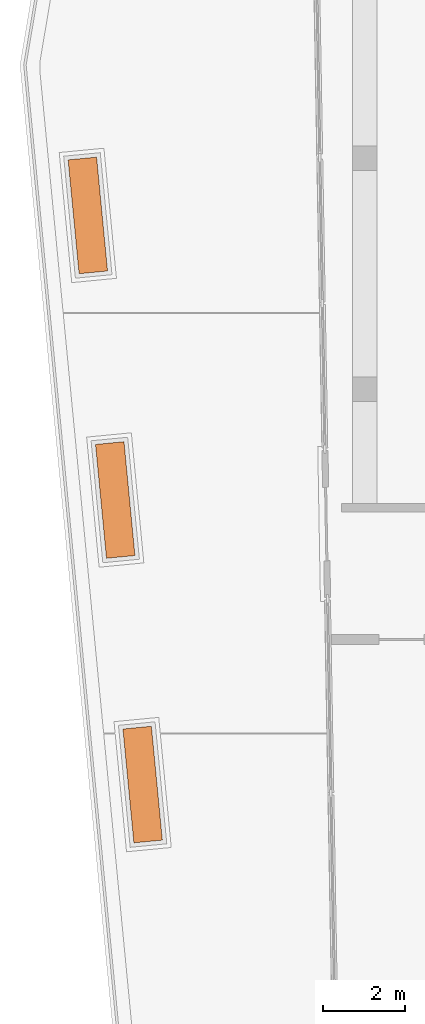
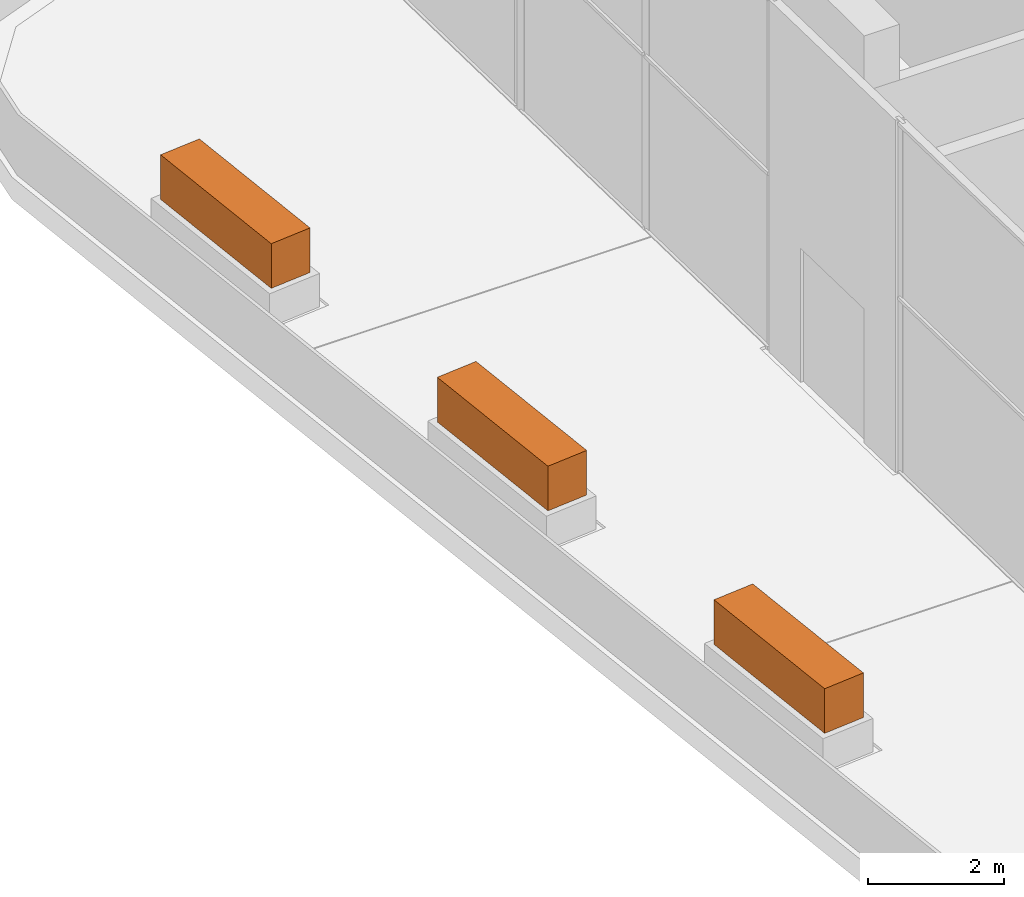
# One storey, part 24 of 24: 3 geographic elements.
"""IFC4 building model written with IfcOpenShell, lengths in metres."""

from ifc_helpers import new_model, si_unit, direction, frame, origin, origin_2d, place, context, subcontext, project, spatial, rectangle, extrude, element, save


model = new_model("IFC4")

# Units and contexts
model_context = context("Model", 3, precision=1e-05, world=origin(), true_north=direction((0.0, 1.0)))
body_context = subcontext(model_context, "Body", "Model", "MODEL_VIEW")
ifc_project = project(units=[si_unit("LENGTHUNIT", "METRE"), si_unit("AREAUNIT", "SQUARE_METRE"), si_unit("VOLUMEUNIT", "CUBIC_METRE"), si_unit("PLANEANGLEUNIT", "RADIAN"), si_unit("MASSUNIT", "GRAM", prefix="KILO")], contexts=[model_context])

# Site, building, storey
site_placement = place(None, origin())
site = spatial("IfcSite", under=ifc_project, at=site_placement, CompositionType="ELEMENT")
building_placement = place(site_placement, origin())
building = spatial("IfcBuilding", under=site, at=building_placement, Name="Kajstack Hotel Tower", CompositionType="ELEMENT")
storey_placement = place(building_placement, frame((0.0, 0.0, 211.10009765625)))
storey = spatial("IfcBuildingStorey", under=building, at=storey_placement, Name="L51", CompositionType="ELEMENT", Elevation=211.10009765625)

# Geographic elements
for number, where, z_axis, x_axis, name in (
    (1, (-41.435546875, -5.177978515625, 0.60009765625), (0.0, 0.0, 1.0), (-0.095844327939, 0.995396335538, 0.0), "Planting L51-01-01"),
    (2, (-42.1064453125, 1.789794921875, 0.60009765625), (0.0, 0.0, 1.0), (-0.095844327939, 0.995396335538, 0.0), "Planting L51-01-02"),
    (3, (-42.77734375, 8.757568359375, 0.60009765625), (0.0, 0.0, 1.0), (-0.095844327939, 0.995396335538, 0.0), "Planting L51-01-03"),
):
    element("IfcGeographicElement", number, at=place(storey_placement, frame(where, z_axis=z_axis, x_axis=x_axis)), inside=storey, Name=name, ObjectType="PLANTING", PredefinedType="USERDEFINED", context=body_context, shape_type="SweptSolid", body=[
        extrude(rectangle(XDim=2.800048828125, YDim=0.699951171875, at=origin_2d()), origin(), (0.0, 0.0, 1.0), 0.800048828125),
    ])

save(model, "model.ifc")
